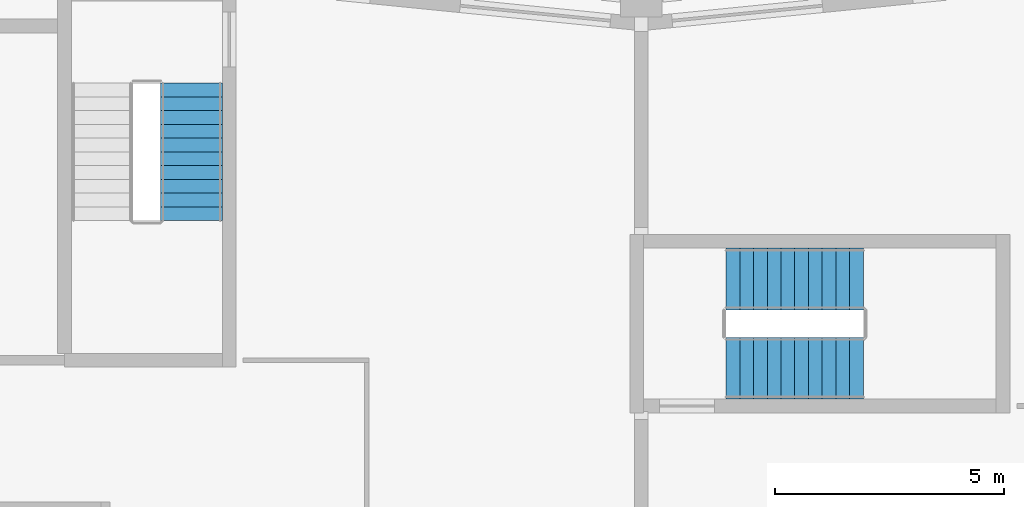
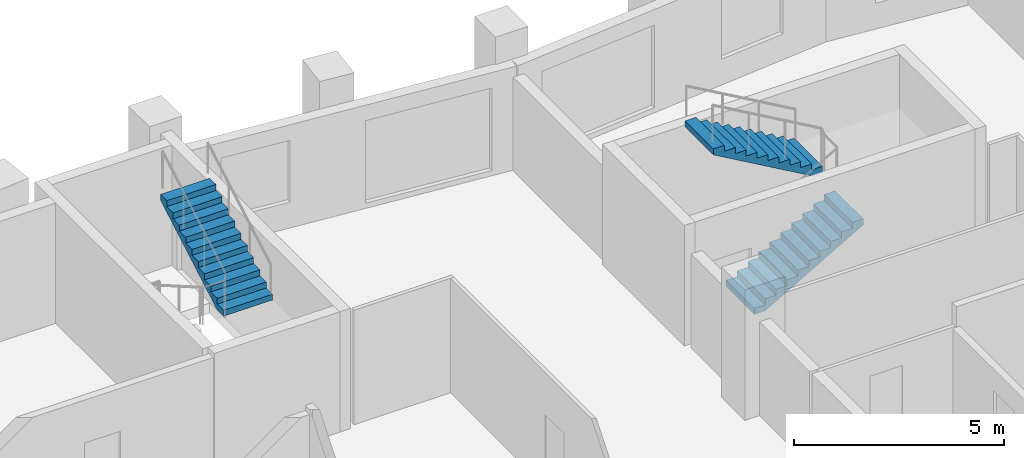
# One storey, part 7 of 8: 3 stair flights, 2 elements without a shape of their own.
"""IFC4 building model written with IfcOpenShell, lengths in metres."""

from ifc_helpers import new_model, si_unit, direction, frame, origin, place, context, subcontext, project, spatial, polyline, outline, extrude, material, type_object, element, aggregate, save


model = new_model("IFC4")

# Units and contexts
model_context = context("Model", 3, precision=1e-05, world=origin(), true_north=direction((0.0, 1.0)))
body_context = subcontext(model_context, "Body", "Model", "MODEL_VIEW")
ifc_project = project(units=[si_unit("LENGTHUNIT", "METRE"), si_unit("AREAUNIT", "SQUARE_METRE"), si_unit("VOLUMEUNIT", "CUBIC_METRE"), si_unit("PLANEANGLEUNIT", "RADIAN"), si_unit("MASSUNIT", "GRAM", prefix="KILO")], contexts=[model_context])

# Site, building, storey
site_placement = place(None, origin())
site = spatial("IfcSite", under=ifc_project, at=site_placement, CompositionType="ELEMENT")
building_placement = place(site_placement, origin())
building = spatial("IfcBuilding", under=site, at=building_placement, Name="Brondeck Convention Tower", CompositionType="ELEMENT")
storey_placement = place(building_placement, frame((0.0, 0.0, 244.39990234375)))
storey = spatial("IfcBuildingStorey", under=building, at=storey_placement, Name="L60", CompositionType="ELEMENT", Elevation=244.39990234375)

# Stair, stair flight
ifc_material = material(Name="Precast concrete C50/60", Category="concrete")
stair_type = type_object("IfcStairType", Name="Core stair 22 risers 172.73 mm riser 300 mm going 1350 wide", PredefinedType="HALF_TURN_STAIR", material=ifc_material)
stair_1_placement = place(storey_placement, origin())
stair_1 = element("IfcStair", 1, at=stair_1_placement, inside=storey, type_object=stair_type, Name="ST-2 L60 stair", PredefinedType="HALF_TURN_STAIR")
stair_flight_type = type_object("IfcStairFlightType", Name="Core stair flight 22 risers 172.73 mm riser 300 mm going 1350 wide", PredefinedType="STRAIGHT", material=ifc_material)
stair_flight_1_placement = place(storey_placement, frame((26.175048828125, 58.050048828125, 1.900146484375), z_axis=(0.0, 0.0, 1.0), x_axis=(0.0, 1.0, 0.0)))
stair_flight_1 = element("IfcStairFlight", 2, at=stair_flight_1_placement, type_object=stair_flight_type, Name="ST-2 flight 2", NumberOfRisers=11, NumberOfTreads=10, PredefinedType="STRAIGHT", RiserHeight=0.172727273, TreadLength=0.3, context=body_context, shape_type="SweptSolid", body=[
    extrude(outline(polyline([(0.0, 0.0), (0.0, 0.172607421875), (0.300048828125, 0.172607421875), (0.300048828125, 0.345458984375), (0.60009765625, 0.345458984375), (0.60009765625, 0.51806640625), (0.89990234375, 0.51806640625), (0.89990234375, 0.69091796875), (1.199951171875, 0.69091796875), (1.199951171875, 0.863525390625), (1.5, 0.863525390625), (1.5, 1.036376953125), (1.800048828125, 1.036376953125), (1.800048828125, 1.208984375), (2.10009765625, 1.208984375), (2.10009765625, 1.3818359375), (2.39990234375, 1.3818359375), (2.39990234375, 1.554443359375), (2.699951171875, 1.554443359375), (2.699951171875, 1.727294921875), (3.0, 1.727294921875), (3.0, 1.89990234375), (3.0, 1.55419921875), (0.300537109375, 0.0), (0.0, 0.0)])), frame((0.0, 0.675048828125, 0.0), z_axis=(0.0, -1.0, 0.0), x_axis=(1.0, 0.0, 0.0)), (0.0, 0.0, 1.0), 1.35009765625),
])
aggregate(stair_1, [stair_flight_1])

# Stair, stair flights
stair_2_placement = place(storey_placement, origin())
stair_2 = element("IfcStair", 3, at=stair_2_placement, inside=storey, type_object=stair_type, Name="ST-AE L60 stair", PredefinedType="HALF_TURN_STAIR")
stair_flight_2_placement = place(storey_placement, frame((37.85009765625, 54.824951171875, 0.0), z_axis=(0.0, 0.0, 1.0), x_axis=(1.0, 0.0, 0.0)))
stair_flight_2 = element("IfcStairFlight", 4, at=stair_flight_2_placement, type_object=stair_flight_type, Name="ST-AE flight 1", NumberOfRisers=11, NumberOfTreads=10, PredefinedType="STRAIGHT", RiserHeight=0.172727273, TreadLength=0.3, context=body_context, shape_type="SweptSolid", body=[
    extrude(outline(polyline([(0.0, 0.0), (0.0, 0.172607421875), (0.300048828125, 0.172607421875), (0.300048828125, 0.345458984375), (0.60009765625, 0.345458984375), (0.60009765625, 0.51806640625), (0.89990234375, 0.51806640625), (0.89990234375, 0.69091796875), (1.199951171875, 0.69091796875), (1.199951171875, 0.863525390625), (1.5, 0.863525390625), (1.5, 1.036376953125), (1.800048828125, 1.036376953125), (1.800048828125, 1.208984375), (2.10009765625, 1.208984375), (2.10009765625, 1.3818359375), (2.39990234375, 1.3818359375), (2.39990234375, 1.554443359375), (2.699951171875, 1.554443359375), (2.699951171875, 1.727294921875), (3.0, 1.727294921875), (3.0, 1.89990234375), (3.0, 1.55419921875), (0.300537109375, 0.0), (0.0, 0.0)])), frame((0.0, 0.675048828125, 0.0), z_axis=(0.0, -1.0, 0.0), x_axis=(1.0, 0.0, 0.0)), (0.0, 0.0, 1.0), 1.35009765625),
])
stair_flight_3_placement = place(storey_placement, frame((40.85009765625, 56.77490234375, 1.900146484375), z_axis=(0.0, 0.0, 1.0), x_axis=(-1.0, 0.0, 0.0)))
stair_flight_3 = element("IfcStairFlight", 5, at=stair_flight_3_placement, type_object=stair_flight_type, Name="ST-AE flight 2", NumberOfRisers=11, NumberOfTreads=10, PredefinedType="STRAIGHT", RiserHeight=0.172727273, TreadLength=0.3, context=body_context, shape_type="SweptSolid", body=[
    extrude(outline(polyline([(0.0, 0.0), (0.0, 0.172607421875), (0.300048828125, 0.172607421875), (0.300048828125, 0.345458984375), (0.60009765625, 0.345458984375), (0.60009765625, 0.51806640625), (0.89990234375, 0.51806640625), (0.89990234375, 0.69091796875), (1.199951171875, 0.69091796875), (1.199951171875, 0.863525390625), (1.5, 0.863525390625), (1.5, 1.036376953125), (1.800048828125, 1.036376953125), (1.800048828125, 1.208984375), (2.10009765625, 1.208984375), (2.10009765625, 1.3818359375), (2.39990234375, 1.3818359375), (2.39990234375, 1.554443359375), (2.699951171875, 1.554443359375), (2.699951171875, 1.727294921875), (3.0, 1.727294921875), (3.0, 1.89990234375), (3.0, 1.55419921875), (0.300537109375, 0.0), (0.0, 0.0)])), frame((0.0, 0.675048828125, 0.0), z_axis=(0.0, -1.0, 0.0), x_axis=(1.0, 0.0, 0.0)), (0.0, 0.0, 1.0), 1.35009765625),
])
aggregate(stair_2, [stair_flight_2, stair_flight_3])

save(model, "model.ifc")
